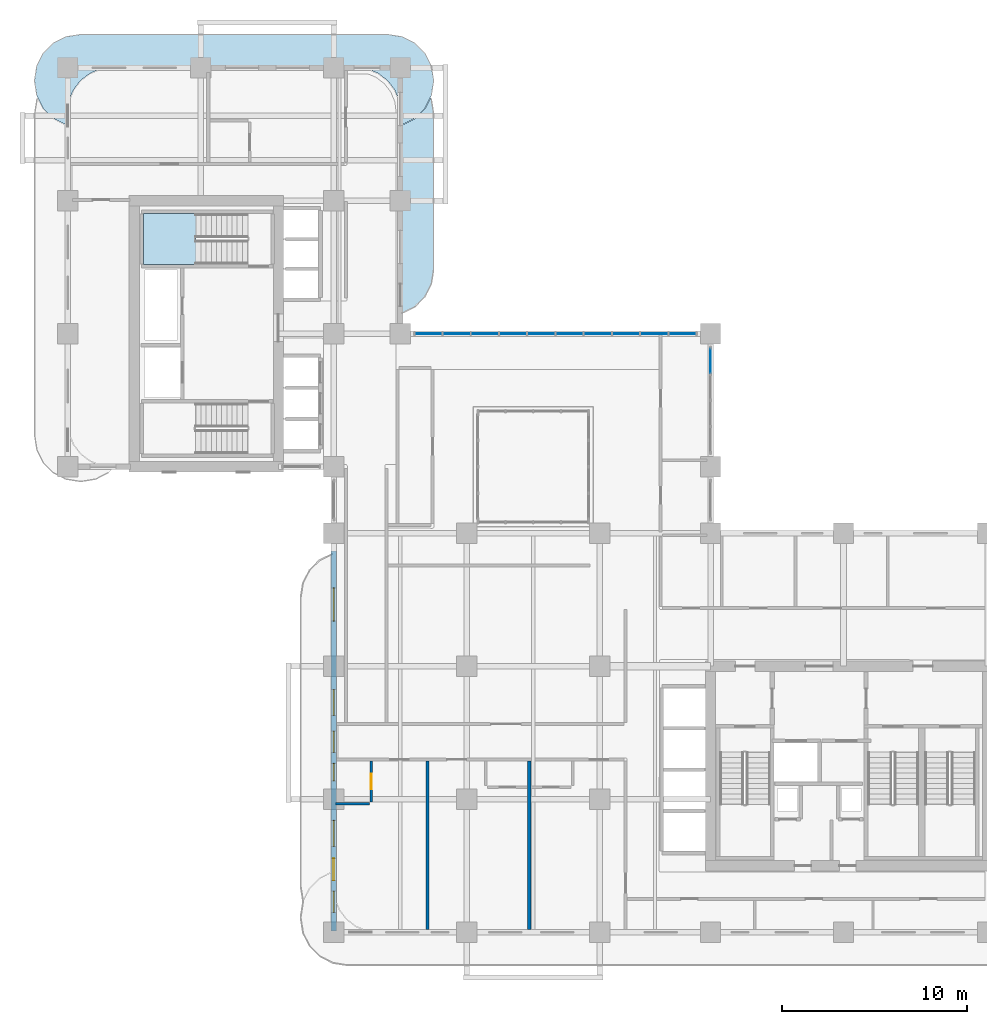
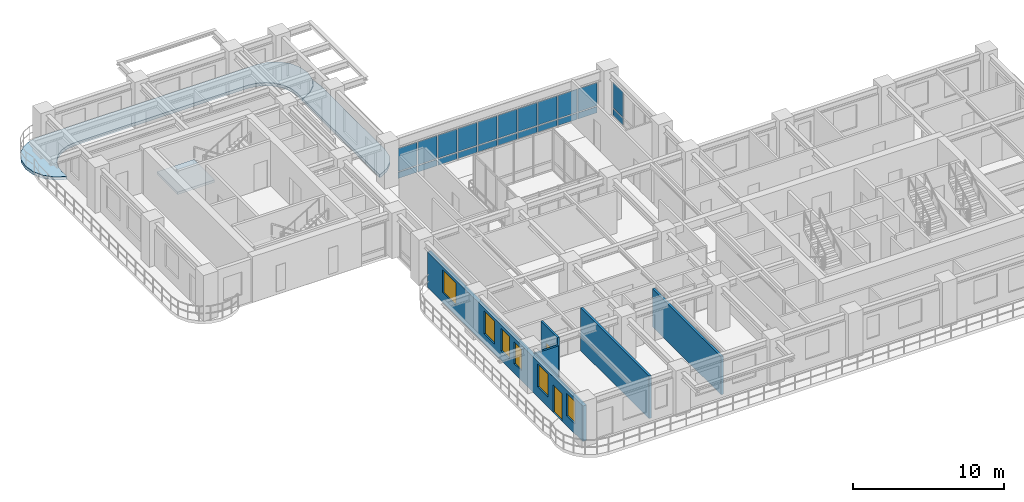
# One storey, part 11 of 22: 22 plates, 6 windows, 5 walls, 3 slabs, 2 doors, 8 openings, 3 elements without a shape of their own.
"""IFC4 building model written with IfcOpenShell, lengths in metres."""

from ifc_helpers import new_model, si_unit, derived_unit, direction, frame, frame_2d, origin, origin_2d, place, context, subcontext, project, spatial, polyline, rectangle, outline, extrude, source, transform, mapped, material, layer, layer_set, type_object, type_shapes, element, fill, aggregate, save


model = new_model("IFC4")

# Units and contexts
model_context = context("Model", 3, precision=1e-05, world=origin(), true_north=direction((0.0, 1.0)))
body_context = subcontext(model_context, "Body", "Model", "MODEL_VIEW")
ifc_project = project(units=[si_unit("LENGTHUNIT", "METRE"), si_unit("AREAUNIT", "SQUARE_METRE"), si_unit("VOLUMEUNIT", "CUBIC_METRE"), si_unit("PLANEANGLEUNIT", "RADIAN"), si_unit("MASSUNIT", "GRAM", prefix="KILO"), si_unit("THERMODYNAMICTEMPERATUREUNIT", "KELVIN"), si_unit("POWERUNIT", "WATT"), derived_unit("THERMALTRANSMITTANCEUNIT", [(si_unit("POWERUNIT", "WATT"), 1), (si_unit("AREAUNIT", "SQUARE_METRE"), -1), (si_unit("THERMODYNAMICTEMPERATUREUNIT", "KELVIN"), -1)])], contexts=[model_context])

# Site, building, storey
site_placement = place(None, origin())
site = spatial("IfcSite", under=ifc_project, at=site_placement, CompositionType="ELEMENT")
building_placement = place(site_placement, origin())
building = spatial("IfcBuilding", under=site, at=building_placement, Name="Zahravan Archway Hotel and Residences", CompositionType="ELEMENT")
storey_placement = place(building_placement, frame((0.0, 0.0, 73.10009765625)))
storey = spatial("IfcBuildingStorey", under=building, at=storey_placement, Name="L17", CompositionType="ELEMENT", Elevation=73.10009765625)

# Slabs
ifc_material_1 = material(Name="Concrete C45/55", Category="concrete")
ifc_layer_1 = layer(ifc_material_1, 0.25, Name="Concrete C45/55", Category="concrete")
ifc_layer_set_1 = layer_set([ifc_layer_1], Name="Concrete C45/55")
slab_type_1 = type_object("IfcSlabType", Name="SLB-BALC-250", PredefinedType="FLOOR", material=ifc_layer_set_1)
slab_1_placement = place(storey_placement, frame((0.0, 0.0, -0.25)))
element("IfcSlab", 1, at=slab_1_placement, inside=storey, type_object=slab_type_1, Name="L17 Wing B North Rounded Balcony Band", PredefinedType="FLOOR", context=body_context, shape_type="SweptSolid", body=[
    extrude(outline(polyline([(-0.107177734375, 43.719970703125), (-0.7900390625, 44.06787109375), (-1.33203125, 44.60986328125), (-1.68017578125, 45.29296875), (-1.800048828125, 46.050048828125), (-1.800048828125, 46.14990234375), (-1.68017578125, 46.906982421875), (-1.33203125, 47.590087890625), (-0.7900390625, 48.132080078125), (-0.107177734375, 48.47998046875), (0.64990234375, 48.60009765625), (17.35009765625, 48.60009765625), (18.107177734375, 48.47998046875), (18.7900390625, 48.132080078125), (19.33203125, 47.590087890625), (19.68017578125, 46.906982421875), (19.800048828125, 46.14990234375), (19.800048828125, 46.050048828125), (19.68017578125, 45.29296875), (19.33203125, 44.60986328125), (18.7900390625, 44.06787109375), (18.107177734375, 43.719970703125), (18.02001953125, 43.7060546875), (18.02001953125, 44.39990234375), (18.019775390625, 44.402587890625), (17.93798828125, 45.023681640625), (17.937744140625, 45.025390625), (17.937255859375, 45.027099609375), (17.936767578125, 45.02880859375), (17.697021484375, 45.607666015625), (17.6962890625, 45.609130859375), (17.6953125, 45.610595703125), (17.6943359375, 45.6123046875), (17.31298828125, 46.109375), (17.311767578125, 46.110595703125), (17.310546875, 46.11181640625), (17.309326171875, 46.113037109375), (16.812255859375, 46.494384765625), (16.810791015625, 46.495361328125), (16.80908203125, 46.49609375), (16.8076171875, 46.4970703125), (16.22900390625, 46.73681640625), (16.227294921875, 46.7373046875), (16.2255859375, 46.73779296875), (16.223876953125, 46.738037109375), (15.6025390625, 46.81982421875), (15.60009765625, 46.820068359375), (2.39990234375, 46.820068359375), (2.3974609375, 46.81982421875), (1.776123046875, 46.738037109375), (1.7744140625, 46.73779296875), (1.772705078125, 46.7373046875), (1.77099609375, 46.73681640625), (1.1923828125, 46.4970703125), (1.19091796875, 46.49609375), (1.189208984375, 46.495361328125), (1.187744140625, 46.494384765625), (0.690673828125, 46.113037109375), (0.689453125, 46.11181640625), (0.688232421875, 46.110595703125), (0.68701171875, 46.109375), (0.3056640625, 45.6123046875), (0.3046875, 45.610595703125), (0.3037109375, 45.609130859375), (0.302978515625, 45.607666015625), (0.063232421875, 45.02880859375), (0.062744140625, 45.027099609375), (0.062255859375, 45.025390625), (0.06201171875, 45.023681640625), (-0.019775390625, 44.402587890625), (-0.02001953125, 44.39990234375), (-0.02001953125, 43.7060546875), (-0.107177734375, 43.719970703125)])), origin(), (0.0, 0.0, 1.0), 0.25),
])
slab_2_placement = place(storey_placement, frame((0.0, 0.0, -0.25)))
element("IfcSlab", 2, at=slab_2_placement, inside=storey, type_object=slab_type_1, Name="L17 Wing B East Rounded Balcony Band", PredefinedType="FLOOR", context=body_context, shape_type="SweptSolid", body=[
    extrude(outline(polyline([(19.68017578125, 45.107177734375), (19.800048828125, 44.35009765625), (19.800048828125, 35.85009765625), (19.68017578125, 35.093017578125), (19.33203125, 34.409912109375), (18.7900390625, 33.867919921875), (18.107177734375, 33.52001953125), (18.02001953125, 33.506103515625), (18.02001953125, 43.68603515625), (18.021240234375, 43.68603515625), (18.023193359375, 43.686279296875), (18.110107421875, 43.7001953125), (18.1123046875, 43.70068359375), (18.1142578125, 43.701171875), (18.1162109375, 43.7021484375), (18.79931640625, 44.050048828125), (18.801025390625, 44.051025390625), (18.802734375, 44.052490234375), (18.80419921875, 44.0537109375), (19.34619140625, 44.595703125), (19.34765625, 44.597412109375), (19.348876953125, 44.59912109375), (19.349853515625, 44.600830078125), (19.64404296875, 45.177978515625), (19.68017578125, 45.107177734375)])), origin(), (0.0, 0.0, 1.0), 0.25),
])

# Stair, slab
ifc_material_2 = material(Name="Concrete C50/60", Category="concrete")
stair_type = type_object("IfcStairType", Name="STR-CORE-1300", PredefinedType="HALF_TURN_STAIR", material=ifc_material_2)
stair_placement = place(storey_placement, origin())
stair = element("IfcStair", 3, at=stair_placement, inside=storey, type_object=stair_type, Name="L17 Core B Exit Stair 2", PredefinedType="HALF_TURN_STAIR")
ifc_layer_2 = layer(ifc_material_2, 0.199951171875, Name="Concrete C50/60", Category="concrete")
ifc_layer_set_2 = layer_set([ifc_layer_2], Name="Concrete C50/60")
slab_type_2 = type_object("IfcSlabType", Name="SLB-LND-200", PredefinedType="LANDING", material=ifc_layer_set_2)
slab_3_placement = place(storey_placement, frame((0.0, 0.0, 1.64990234375)))
slab_3 = element("IfcSlab", 4, at=slab_3_placement, type_object=slab_type_2, Name="ST-B2 landing 1", PredefinedType="LANDING", context=body_context, shape_type="SweptSolid", body=[
    extrude(outline(polyline([(6.929931640625, 38.89990234375), (4.10009765625, 38.89990234375), (4.10009765625, 36.159912109375), (6.929931640625, 36.159912109375), (6.929931640625, 38.89990234375)])), origin(), (0.0, 0.0, 1.0), 0.199951171875),
])
aggregate(stair, [slab_3])

# Curtain wall, plates
ifc_material_3 = material(Name="Bronze-Anodized Unitised Aluminium & Low-E Glass", Category="aluminium")
ifc_layer_3 = layer(ifc_material_3, 0.179931640625, Name="Bronze-Anodized Unitised Aluminium & Low-E Glass", Category="aluminium")
ifc_layer_set_3 = layer_set([ifc_layer_3], Name="Bronze-Anodized Unitised Aluminium & Low-E Glass")
curtain_wall_type = type_object("IfcCurtainWallType", Name="CW-ATR-GLAZ", PredefinedType="NOTDEFINED", material=ifc_layer_set_3)
curtain_wall_1_placement = place(storey_placement, origin())
curtain_wall_1 = element("IfcCurtainWall", 5, at=curtain_wall_1_placement, inside=storey, type_object=curtain_wall_type, Name="L17 Curtain Wall CW-L17-HNG-E-2", PredefinedType="NOTDEFINED")
ifc_material_4 = material(Name="Insulated Terracotta Spandrel Panel", Category="masonry")
ifc_layer_4 = layer(ifc_material_4, 0.0400390625, Name="Insulated Terracotta Spandrel Panel", Category="masonry")
ifc_layer_set_4 = layer_set([ifc_layer_4], Name="Insulated Terracotta Spandrel Panel")
plate_type_1 = type_object("IfcPlateType", Name="CWP-SPN-40", PredefinedType="SHEET", material=ifc_layer_set_4)
shared_shape_1 = source(origin(), body_context, "Body", "SweptSolid", [
    extrude(rectangle(XDim=1.340087890625, YDim=0.0400390625, at=origin_2d()), origin(), (0.0, 0.0, 1.0), 0.552490234375),
])
plate_1_placement = place(storey_placement, frame((34.800048828125, 30.929931640625, 0.10009765625), z_axis=(0.0, 0.0, 1.0), x_axis=(0.0, 1.0, 0.0)))
plate_1 = element("IfcPlate", 6, at=plate_1_placement, type_object=plate_type_1, Name="CW-L17-HNG-E-2 Spandrel Panel 3", PredefinedType="SHEET", context=body_context, shape_type="MappedRepresentation", body=[
    mapped(shared_shape_1, transform((0.0, 0.0, 0.0), scale=1.0)),
])
ifc_material_5 = material(Name="Double-Silver Low-E Insulated Vision Glass", Category="glass")
ifc_layer_5 = layer(ifc_material_5, 0.028076171875, Name="Double-Silver Low-E Insulated Vision Glass", Category="glass")
ifc_layer_set_5 = layer_set([ifc_layer_5], Name="Double-Silver Low-E Insulated Vision Glass")
plate_type_2 = type_object("IfcPlateType", Name="CWP-GLZ-28", PredefinedType="CURTAIN_PANEL", material=ifc_layer_set_5)
shared_shape_2 = source(origin(), body_context, "Body", "SweptSolid", [
    extrude(rectangle(XDim=1.340087890625, YDim=0.028076171875, at=origin_2d()), origin(), (0.0, 0.0, 1.0), 2.052490234375),
])
plate_2_placement = place(storey_placement, frame((34.800048828125, 30.929931640625, 0.732421875), z_axis=(0.0, 0.0, 1.0), x_axis=(0.0, 1.0, 0.0)))
plate_2 = element("IfcPlate", 7, at=plate_2_placement, type_object=plate_type_2, Name="CW-L17-HNG-E-2 Low-E Vision Panel 3", PredefinedType="CURTAIN_PANEL", context=body_context, shape_type="MappedRepresentation", body=[
    mapped(shared_shape_2, transform((0.0, 0.0, 0.0), scale=1.0)),
])
aggregate(curtain_wall_1, [plate_1, plate_2])

curtain_wall_2_placement = place(storey_placement, origin())
curtain_wall_2 = element("IfcCurtainWall", 8, at=curtain_wall_2_placement, inside=storey, type_object=curtain_wall_type, Name="L17 Curtain Wall CW-L17-HNG-N-1", PredefinedType="NOTDEFINED")
shared_shape_3 = source(origin(), body_context, "Body", "SweptSolid", [
    extrude(rectangle(XDim=1.447998046875, YDim=0.0400390625, at=origin_2d()), origin(), (0.0, 0.0, 1.0), 0.492431640625),
])
plate_3_placement = place(storey_placement, frame((19.52392578125, 32.39990234375, 0.10009765625), z_axis=(0.0, 0.0, 1.0), x_axis=(1.0, 0.0, 0.0)))
plate_3 = element("IfcPlate", 9, at=plate_3_placement, type_object=plate_type_1, Name="CW-L17-HNG-N-1 Spandrel Panel 0", PredefinedType="SHEET", context=body_context, shape_type="MappedRepresentation", body=[
    mapped(shared_shape_3, transform((0.0, 0.0, 0.0), scale=1.0)),
])
plate_4_placement = place(storey_placement, frame((21.052001953125, 32.39990234375, 0.10009765625), z_axis=(0.0, 0.0, 1.0), x_axis=(1.0, 0.0, 0.0)))
plate_4 = element("IfcPlate", 10, at=plate_4_placement, type_object=plate_type_1, Name="CW-L17-HNG-N-1 Spandrel Panel 1", PredefinedType="SHEET", context=body_context, shape_type="MappedRepresentation", body=[
    mapped(shared_shape_3, transform((0.0, 0.0, 0.0), scale=1.0)),
])
plate_5_placement = place(storey_placement, frame((22.580078125, 32.39990234375, 0.10009765625), z_axis=(0.0, 0.0, 1.0), x_axis=(1.0, 0.0, 0.0)))
plate_5 = element("IfcPlate", 11, at=plate_5_placement, type_object=plate_type_1, Name="CW-L17-HNG-N-1 Spandrel Panel 2", PredefinedType="SHEET", context=body_context, shape_type="MappedRepresentation", body=[
    mapped(shared_shape_3, transform((0.0, 0.0, 0.0), scale=1.0)),
])
plate_6_placement = place(storey_placement, frame((24.10791015625, 32.39990234375, 0.10009765625), z_axis=(0.0, 0.0, 1.0), x_axis=(1.0, 0.0, 0.0)))
plate_6 = element("IfcPlate", 12, at=plate_6_placement, type_object=plate_type_1, Name="CW-L17-HNG-N-1 Spandrel Panel 3", PredefinedType="SHEET", context=body_context, shape_type="MappedRepresentation", body=[
    mapped(shared_shape_3, transform((0.0, 0.0, 0.0), scale=1.0)),
])
plate_7_placement = place(storey_placement, frame((25.635986328125, 32.39990234375, 0.10009765625), z_axis=(0.0, 0.0, 1.0), x_axis=(1.0, 0.0, 0.0)))
plate_7 = element("IfcPlate", 13, at=plate_7_placement, type_object=plate_type_1, Name="CW-L17-HNG-N-1 Spandrel Panel 4", PredefinedType="SHEET", context=body_context, shape_type="MappedRepresentation", body=[
    mapped(shared_shape_3, transform((0.0, 0.0, 0.0), scale=1.0)),
])
plate_8_placement = place(storey_placement, frame((27.1640625, 32.39990234375, 0.10009765625), z_axis=(0.0, 0.0, 1.0), x_axis=(1.0, 0.0, 0.0)))
plate_8 = element("IfcPlate", 14, at=plate_8_placement, type_object=plate_type_1, Name="CW-L17-HNG-N-1 Spandrel Panel 5", PredefinedType="SHEET", context=body_context, shape_type="MappedRepresentation", body=[
    mapped(shared_shape_3, transform((0.0, 0.0, 0.0), scale=1.0)),
])
plate_9_placement = place(storey_placement, frame((28.69189453125, 32.39990234375, 0.10009765625), z_axis=(0.0, 0.0, 1.0), x_axis=(1.0, 0.0, 0.0)))
plate_9 = element("IfcPlate", 15, at=plate_9_placement, type_object=plate_type_1, Name="CW-L17-HNG-N-1 Spandrel Panel 6", PredefinedType="SHEET", context=body_context, shape_type="MappedRepresentation", body=[
    mapped(shared_shape_3, transform((0.0, 0.0, 0.0), scale=1.0)),
])
plate_10_placement = place(storey_placement, frame((30.219970703125, 32.39990234375, 0.10009765625), z_axis=(0.0, 0.0, 1.0), x_axis=(1.0, 0.0, 0.0)))
plate_10 = element("IfcPlate", 16, at=plate_10_placement, type_object=plate_type_1, Name="CW-L17-HNG-N-1 Spandrel Panel 7", PredefinedType="SHEET", context=body_context, shape_type="MappedRepresentation", body=[
    mapped(shared_shape_3, transform((0.0, 0.0, 0.0), scale=1.0)),
])
plate_11_placement = place(storey_placement, frame((31.748046875, 32.39990234375, 0.10009765625), z_axis=(0.0, 0.0, 1.0), x_axis=(1.0, 0.0, 0.0)))
plate_11 = element("IfcPlate", 17, at=plate_11_placement, type_object=plate_type_1, Name="CW-L17-HNG-N-1 Spandrel Panel 8", PredefinedType="SHEET", context=body_context, shape_type="MappedRepresentation", body=[
    mapped(shared_shape_3, transform((0.0, 0.0, 0.0), scale=1.0)),
])
plate_12_placement = place(storey_placement, frame((33.27587890625, 32.39990234375, 0.10009765625), z_axis=(0.0, 0.0, 1.0), x_axis=(1.0, 0.0, 0.0)))
plate_12 = element("IfcPlate", 18, at=plate_12_placement, type_object=plate_type_1, Name="CW-L17-HNG-N-1 Spandrel Panel 9", PredefinedType="SHEET", context=body_context, shape_type="MappedRepresentation", body=[
    mapped(shared_shape_3, transform((0.0, 0.0, 0.0), scale=1.0)),
])
shared_shape_4 = source(origin(), body_context, "Body", "SweptSolid", [
    extrude(rectangle(XDim=1.447998046875, YDim=0.028076171875, at=origin_2d()), origin(), (0.0, 0.0, 1.0), 1.862548828125),
])
plate_13_placement = place(storey_placement, frame((19.52392578125, 32.39990234375, 0.67236328125), z_axis=(0.0, 0.0, 1.0), x_axis=(1.0, 0.0, 0.0)))
plate_13 = element("IfcPlate", 19, at=plate_13_placement, type_object=plate_type_2, Name="CW-L17-HNG-N-1 Low-E Vision Panel 0", PredefinedType="CURTAIN_PANEL", context=body_context, shape_type="MappedRepresentation", body=[
    mapped(shared_shape_4, transform((0.0, 0.0, 0.0), scale=1.0)),
])
plate_14_placement = place(storey_placement, frame((21.052001953125, 32.39990234375, 0.67236328125), z_axis=(0.0, 0.0, 1.0), x_axis=(1.0, 0.0, 0.0)))
plate_14 = element("IfcPlate", 20, at=plate_14_placement, type_object=plate_type_2, Name="CW-L17-HNG-N-1 Low-E Vision Panel 1", PredefinedType="CURTAIN_PANEL", context=body_context, shape_type="MappedRepresentation", body=[
    mapped(shared_shape_4, transform((0.0, 0.0, 0.0), scale=1.0)),
])
plate_15_placement = place(storey_placement, frame((22.580078125, 32.39990234375, 0.67236328125), z_axis=(0.0, 0.0, 1.0), x_axis=(1.0, 0.0, 0.0)))
plate_15 = element("IfcPlate", 21, at=plate_15_placement, type_object=plate_type_2, Name="CW-L17-HNG-N-1 Low-E Vision Panel 2", PredefinedType="CURTAIN_PANEL", context=body_context, shape_type="MappedRepresentation", body=[
    mapped(shared_shape_4, transform((0.0, 0.0, 0.0), scale=1.0)),
])
plate_16_placement = place(storey_placement, frame((24.10791015625, 32.39990234375, 0.67236328125), z_axis=(0.0, 0.0, 1.0), x_axis=(1.0, 0.0, 0.0)))
plate_16 = element("IfcPlate", 22, at=plate_16_placement, type_object=plate_type_2, Name="CW-L17-HNG-N-1 Low-E Vision Panel 3", PredefinedType="CURTAIN_PANEL", context=body_context, shape_type="MappedRepresentation", body=[
    mapped(shared_shape_4, transform((0.0, 0.0, 0.0), scale=1.0)),
])
plate_17_placement = place(storey_placement, frame((25.635986328125, 32.39990234375, 0.67236328125), z_axis=(0.0, 0.0, 1.0), x_axis=(1.0, 0.0, 0.0)))
plate_17 = element("IfcPlate", 23, at=plate_17_placement, type_object=plate_type_2, Name="CW-L17-HNG-N-1 Low-E Vision Panel 4", PredefinedType="CURTAIN_PANEL", context=body_context, shape_type="MappedRepresentation", body=[
    mapped(shared_shape_4, transform((0.0, 0.0, 0.0), scale=1.0)),
])
plate_18_placement = place(storey_placement, frame((27.1640625, 32.39990234375, 0.67236328125), z_axis=(0.0, 0.0, 1.0), x_axis=(1.0, 0.0, 0.0)))
plate_18 = element("IfcPlate", 24, at=plate_18_placement, type_object=plate_type_2, Name="CW-L17-HNG-N-1 Low-E Vision Panel 5", PredefinedType="CURTAIN_PANEL", context=body_context, shape_type="MappedRepresentation", body=[
    mapped(shared_shape_4, transform((0.0, 0.0, 0.0), scale=1.0)),
])
plate_19_placement = place(storey_placement, frame((28.69189453125, 32.39990234375, 0.67236328125), z_axis=(0.0, 0.0, 1.0), x_axis=(1.0, 0.0, 0.0)))
plate_19 = element("IfcPlate", 25, at=plate_19_placement, type_object=plate_type_2, Name="CW-L17-HNG-N-1 Low-E Vision Panel 6", PredefinedType="CURTAIN_PANEL", context=body_context, shape_type="MappedRepresentation", body=[
    mapped(shared_shape_4, transform((0.0, 0.0, 0.0), scale=1.0)),
])
plate_20_placement = place(storey_placement, frame((30.219970703125, 32.39990234375, 0.67236328125), z_axis=(0.0, 0.0, 1.0), x_axis=(1.0, 0.0, 0.0)))
plate_20 = element("IfcPlate", 26, at=plate_20_placement, type_object=plate_type_2, Name="CW-L17-HNG-N-1 Low-E Vision Panel 7", PredefinedType="CURTAIN_PANEL", context=body_context, shape_type="MappedRepresentation", body=[
    mapped(shared_shape_4, transform((0.0, 0.0, 0.0), scale=1.0)),
])
plate_21_placement = place(storey_placement, frame((31.748046875, 32.39990234375, 0.67236328125), z_axis=(0.0, 0.0, 1.0), x_axis=(1.0, 0.0, 0.0)))
plate_21 = element("IfcPlate", 27, at=plate_21_placement, type_object=plate_type_2, Name="CW-L17-HNG-N-1 Low-E Vision Panel 8", PredefinedType="CURTAIN_PANEL", context=body_context, shape_type="MappedRepresentation", body=[
    mapped(shared_shape_4, transform((0.0, 0.0, 0.0), scale=1.0)),
])
plate_22_placement = place(storey_placement, frame((33.27587890625, 32.39990234375, 0.67236328125), z_axis=(0.0, 0.0, 1.0), x_axis=(1.0, 0.0, 0.0)))
plate_22 = element("IfcPlate", 28, at=plate_22_placement, type_object=plate_type_2, Name="CW-L17-HNG-N-1 Low-E Vision Panel 9", PredefinedType="CURTAIN_PANEL", context=body_context, shape_type="MappedRepresentation", body=[
    mapped(shared_shape_4, transform((0.0, 0.0, 0.0), scale=1.0)),
])
aggregate(curtain_wall_2, [plate_3, plate_13, plate_4, plate_14, plate_5, plate_15, plate_6, plate_16, plate_7, plate_17, plate_8, plate_18, plate_9, plate_19, plate_10, plate_20, plate_11, plate_21, plate_12, plate_22])

# Wall, openings, door, windows
ifc_material_6 = material(Name="Honed Red-Ochre Sandstone & Insulated Block", Category="masonry")
ifc_layer_6 = layer(ifc_material_6, 0.280029296875, Name="Honed Red-Ochre Sandstone & Insulated Block", Category="masonry")
ifc_layer_set_6 = layer_set([ifc_layer_6], Name="Honed Red-Ochre Sandstone & Insulated Block")
wall_type_1 = type_object("IfcWallType", Name="EW-LOG-280", PredefinedType="SOLIDWALL", material=ifc_layer_set_6)
wall_1_placement = place(storey_placement, frame((14.39990234375, 0.050048828125, 0.0), z_axis=(0.0, 0.0, 1.0), x_axis=(0.0, 1.0, 0.0)))
wall_1 = element("IfcWall", 29, at=wall_1_placement, inside=storey, type_object=wall_type_1, Name="L17 Exterior Sandstone Wall WA-WL", PredefinedType="SOLIDWALL", context=body_context, shape_type="SweptSolid", body=[
    extrude(rectangle(XDim=20.599853515625, YDim=0.280029296875, at=frame_2d((10.2998046875, 0.0))), origin(), (0.0, 0.0, 1.0), 2.885009765625),
])
opening_1_placement = place(wall_1_placement, frame((2.75, 0.0, 0.0)))
opening_1 = element("IfcOpeningElement", 30, at=opening_1_placement, cuts=wall_1, Name="Opening ED-BL1", PredefinedType="OPENING", context=body_context, shape_type="SweptSolid", body=[
    extrude(rectangle(XDim=1.199951171875, YDim=2.199951171875, at=frame_2d((0.60009765625, 1.10009765625))), frame((0.0, 0.14990234375, 0.0), z_axis=(0.0, -1.0, 0.0), x_axis=(1.0, 0.0, 0.0)), (0.0, 0.0, 1.0), 0.300048828125),
])
opening_2_placement = place(wall_1_placement, frame((1.02490234375, 0.0, 0.800048828125)))
opening_2 = element("IfcOpeningElement", 31, at=opening_2_placement, cuts=wall_1, Name="Opening W-05", PredefinedType="OPENING", context=body_context, shape_type="SweptSolid", body=[
    extrude(rectangle(XDim=1.14990234375, YDim=1.800048828125, at=frame_2d((0.574951171875, 0.89990234375))), frame((0.0, 0.14990234375, 0.0), z_axis=(0.0, -1.0, 0.0), x_axis=(1.0, 0.0, 0.0)), (0.0, 0.0, 1.0), 0.300048828125),
])
opening_3_placement = place(wall_1_placement, frame((4.60009765625, 0.0, 0.800048828125)))
opening_3 = element("IfcOpeningElement", 32, at=opening_3_placement, cuts=wall_1, Name="Opening W-03", PredefinedType="OPENING", context=body_context, shape_type="SweptSolid", body=[
    extrude(rectangle(XDim=1.39990234375, YDim=1.85009765625, at=frame_2d((0.699951171875, 0.925048828125))), frame((0.0, 0.14990234375, 0.0), z_axis=(0.0, -1.0, 0.0), x_axis=(1.0, 0.0, 0.0)), (0.0, 0.0, 1.0), 0.300048828125),
])
opening_4_placement = place(wall_1_placement, frame((8.14599609375, 0.0, 0.800048828125)))
opening_4 = element("IfcOpeningElement", 33, at=opening_4_placement, cuts=wall_1, Name="Opening W-04", PredefinedType="OPENING", context=body_context, shape_type="SweptSolid", body=[
    extrude(rectangle(XDim=0.949951171875, YDim=1.75, at=frame_2d((0.47509765625, 0.875))), frame((0.0, 0.14990234375, 0.0), z_axis=(0.0, -1.0, 0.0), x_axis=(1.0, 0.0, 0.0)), (0.0, 0.0, 1.0), 0.300048828125),
])
opening_5_placement = place(wall_1_placement, frame((9.68505859375, 0.0, 0.800048828125)))
opening_5 = element("IfcOpeningElement", 34, at=opening_5_placement, cuts=wall_1, Name="Opening W-05", PredefinedType="OPENING", context=body_context, shape_type="SweptSolid", body=[
    extrude(rectangle(XDim=1.14990234375, YDim=1.800048828125, at=frame_2d((0.574951171875, 0.89990234375))), frame((0.0, 0.14990234375, 0.0), z_axis=(0.0, -1.0, 0.0), x_axis=(1.0, 0.0, 0.0)), (0.0, 0.0, 1.0), 0.300048828125),
])
opening_6_placement = place(wall_1_placement, frame((11.68896484375, 0.0, 0.800048828125)))
opening_6 = element("IfcOpeningElement", 35, at=opening_6_placement, cuts=wall_1, Name="Opening W-03", PredefinedType="OPENING", context=body_context, shape_type="SweptSolid", body=[
    extrude(rectangle(XDim=1.39990234375, YDim=1.85009765625, at=frame_2d((0.699951171875, 0.925048828125))), frame((0.0, 0.14990234375, 0.0), z_axis=(0.0, -1.0, 0.0), x_axis=(1.0, 0.0, 0.0)), (0.0, 0.0, 1.0), 0.300048828125),
])
opening_7_placement = place(wall_1_placement, frame((16.7900390625, 0.0, 0.800048828125)))
opening_7 = element("IfcOpeningElement", 36, at=opening_7_placement, cuts=wall_1, Name="Opening W-02", PredefinedType="OPENING", context=body_context, shape_type="SweptSolid", body=[
    extrude(rectangle(XDim=1.800048828125, YDim=1.85009765625, at=frame_2d((0.89990234375, 0.925048828125))), frame((0.0, 0.14990234375, 0.0), z_axis=(0.0, -1.0, 0.0), x_axis=(1.0, 0.0, 0.0)), (0.0, 0.0, 1.0), 0.300048828125),
])
ifc_material_7 = material(Name="Bronze-Anodized Glazed Aluminium", Category="aluminium")
door_type_1 = type_object("IfcDoorType", Name="ED-BALC-1200", OperationType="SLIDING_TO_LEFT", PredefinedType="DOOR", material=ifc_material_7)
shared_shape_5 = source(origin(), body_context, "Body", "SweptSolid", [
    extrude(rectangle(XDim=1.199951171875, YDim=2.199951171875, at=frame_2d((0.60009765625, 1.10009765625))), frame((0.0, 0.02490234375, 0.0), z_axis=(0.0, -1.0, 0.0), x_axis=(1.0, 0.0, 0.0)), (0.0, 0.0, 1.0), 0.050048828125),
])
type_shapes(door_type_1, [shared_shape_5])
door_1_placement = place(opening_1_placement, origin())
door_1 = element("IfcDoor", 37, at=door_1_placement, inside=storey, type_object=door_type_1, Name="L17 Outdoor Access Sliding Door (SLB-BAL-L17-WA)", OperationType="SLIDING_TO_LEFT", OverallHeight=2.199951171875, OverallWidth=1.199951171875, PredefinedType="DOOR", context=body_context, shape_type="MappedRepresentation", body=[
    mapped(shared_shape_5, transform((0.0, 0.0, 0.0), scale=1.0)),
])
fill(opening_1, door_1)
ifc_material_8 = material(Name="Bronze-Anodized Thermal-Break Aluminium & Low-E Glass", Category="aluminium")
window_type_1 = type_object("IfcWindowType", Name="WIN-TWR-1400", PartitioningType="SINGLE_PANEL", PredefinedType="WINDOW", material=ifc_material_8)
shared_shape_6 = source(origin(), body_context, "Body", "SweptSolid", [
    extrude(rectangle(XDim=1.39990234375, YDim=1.85009765625, at=frame_2d((0.699951171875, 0.925048828125))), frame((0.0, 0.030029296875, 0.0), z_axis=(0.0, -1.0, 0.0), x_axis=(1.0, 0.0, 0.0)), (0.0, 0.0, 1.0), 0.06005859375),
])
type_shapes(window_type_1, [shared_shape_6])
window_1_placement = place(opening_3_placement, origin())
window_1 = element("IfcWindow", 38, at=window_1_placement, inside=storey, type_object=window_type_1, Name="L17 Loggia Window 24", OverallHeight=1.85009765625, OverallWidth=1.39990234375, PartitioningType="SINGLE_PANEL", PredefinedType="WINDOW", context=body_context, shape_type="MappedRepresentation", body=[
    mapped(shared_shape_6, transform((0.0, 0.0, 0.0), scale=1.0)),
])
fill(opening_3, window_1)
window_2_placement = place(opening_6_placement, origin())
window_2 = element("IfcWindow", 39, at=window_2_placement, inside=storey, type_object=window_type_1, Name="L17 Loggia Window 27", OverallHeight=1.85009765625, OverallWidth=1.39990234375, PartitioningType="SINGLE_PANEL", PredefinedType="WINDOW", context=body_context, shape_type="MappedRepresentation", body=[
    mapped(shared_shape_6, transform((0.0, 0.0, 0.0), scale=1.0)),
])
fill(opening_6, window_2)
window_type_2 = type_object("IfcWindowType", Name="WIN-NAR-950", PartitioningType="SINGLE_PANEL", PredefinedType="WINDOW", material=ifc_material_8)
shared_shape_7 = source(origin(), body_context, "Body", "SweptSolid", [
    extrude(rectangle(XDim=0.949951171875, YDim=1.75, at=frame_2d((0.47509765625, 0.875))), frame((0.0, 0.030029296875, 0.0), z_axis=(0.0, -1.0, 0.0), x_axis=(1.0, 0.0, 0.0)), (0.0, 0.0, 1.0), 0.06005859375),
])
type_shapes(window_type_2, [shared_shape_7])
window_3_placement = place(opening_4_placement, origin())
window_3 = element("IfcWindow", 40, at=window_3_placement, inside=storey, type_object=window_type_2, Name="L17 Loggia Window 25", OverallHeight=1.75, OverallWidth=0.949951171875, PartitioningType="SINGLE_PANEL", PredefinedType="WINDOW", context=body_context, shape_type="MappedRepresentation", body=[
    mapped(shared_shape_7, transform((0.0, 0.0, 0.0), scale=1.0)),
])
fill(opening_4, window_3)
window_type_3 = type_object("IfcWindowType", Name="WIN-TWR-1800", PartitioningType="DOUBLE_PANEL_VERTICAL", PredefinedType="WINDOW", material=ifc_material_8)
shared_shape_8 = source(origin(), body_context, "Body", "SweptSolid", [
    extrude(rectangle(XDim=1.800048828125, YDim=1.85009765625, at=frame_2d((0.89990234375, 0.925048828125))), frame((0.0, 0.030029296875, 0.0), z_axis=(0.0, -1.0, 0.0), x_axis=(1.0, 0.0, 0.0)), (0.0, 0.0, 1.0), 0.06005859375),
])
type_shapes(window_type_3, [shared_shape_8])
window_4_placement = place(opening_7_placement, origin())
window_4 = element("IfcWindow", 41, at=window_4_placement, inside=storey, type_object=window_type_3, Name="L17 Loggia Window 28", OverallHeight=1.85009765625, OverallWidth=1.800048828125, PartitioningType="DOUBLE_PANEL_VERTICAL", PredefinedType="WINDOW", context=body_context, shape_type="MappedRepresentation", body=[
    mapped(shared_shape_8, transform((0.0, 0.0, 0.0), scale=1.0)),
])
fill(opening_7, window_4)
window_type_4 = type_object("IfcWindowType", Name="WIN-TWR-1150", PartitioningType="SINGLE_PANEL", PredefinedType="WINDOW", material=ifc_material_8)
shared_shape_9 = source(origin(), body_context, "Body", "SweptSolid", [
    extrude(rectangle(XDim=1.14990234375, YDim=1.800048828125, at=frame_2d((0.574951171875, 0.89990234375))), frame((0.0, 0.030029296875, 0.0), z_axis=(0.0, -1.0, 0.0), x_axis=(1.0, 0.0, 0.0)), (0.0, 0.0, 1.0), 0.06005859375),
])
type_shapes(window_type_4, [shared_shape_9])
window_5_placement = place(opening_2_placement, origin())
window_5 = element("IfcWindow", 42, at=window_5_placement, inside=storey, type_object=window_type_4, Name="L17 Loggia Window 23", OverallHeight=1.800048828125, OverallWidth=1.14990234375, PartitioningType="SINGLE_PANEL", PredefinedType="WINDOW", context=body_context, shape_type="MappedRepresentation", body=[
    mapped(shared_shape_9, transform((0.0, 0.0, 0.0), scale=1.0)),
])
fill(opening_2, window_5)
window_6_placement = place(opening_5_placement, origin())
window_6 = element("IfcWindow", 43, at=window_6_placement, inside=storey, type_object=window_type_4, Name="L17 Loggia Window 26", OverallHeight=1.800048828125, OverallWidth=1.14990234375, PartitioningType="SINGLE_PANEL", PredefinedType="WINDOW", context=body_context, shape_type="MappedRepresentation", body=[
    mapped(shared_shape_9, transform((0.0, 0.0, 0.0), scale=1.0)),
])
fill(opening_5, window_6)

# Walls
ifc_material_9 = material(Name="Acoustic Stud Partition")
ifc_layer_7 = layer(ifc_material_9, 0.169921875, Name="Acoustic Stud Partition")
ifc_layer_set_7 = layer_set([ifc_layer_7], Name="Acoustic Stud Partition")
wall_type_2 = type_object("IfcWallType", Name="PW-UNIT-170", PredefinedType="PARTITIONING", material=ifc_layer_set_7)
wall_2_placement = place(storey_placement, frame((19.47998046875, 0.14794921875, 0.0), z_axis=(0.0, 0.0, 1.0), x_axis=(0.0, 1.0, 0.0)))
element("IfcWall", 44, at=wall_2_placement, inside=storey, type_object=wall_type_2, Name="L17 Partition WAS-0A", PredefinedType="PARTITIONING", context=body_context, shape_type="SweptSolid", body=[
    extrude(rectangle(XDim=9.112060546875, YDim=0.169921875, at=frame_2d((4.55615234375, 0.0))), origin(), (0.0, 0.0, 1.0), 3.449951171875),
])
wall_3_placement = place(storey_placement, frame((24.986083984375, 0.14794921875, 0.0), z_axis=(0.0, 0.0, 1.0), x_axis=(0.0, 1.0, 0.0)))
element("IfcWall", 45, at=wall_3_placement, inside=storey, type_object=wall_type_2, Name="L17 Partition WAS-0B", PredefinedType="PARTITIONING", context=body_context, shape_type="SweptSolid", body=[
    extrude(rectangle(XDim=9.112060546875, YDim=0.169921875, at=frame_2d((4.55615234375, 0.0))), origin(), (0.0, 0.0, 1.0), 3.074951171875),
])

# Wall, opening, door
ifc_material_10 = material(Name="Moisture-Resistant Blockwork", Category="masonry")
ifc_layer_8 = layer(ifc_material_10, 0.139892578125, Name="Moisture-Resistant Blockwork", Category="masonry")
ifc_layer_set_8 = layer_set([ifc_layer_8], Name="Moisture-Resistant Blockwork")
wall_type_3 = type_object("IfcWallType", Name="PW-WET-140", PredefinedType="PARTITIONING", material=ifc_layer_set_8)
wall_4_placement = place(storey_placement, frame((16.431884765625, 7.0400390625, 0.0), z_axis=(0.0, 0.0, 1.0), x_axis=(0.0, 1.0, 0.0)))
wall_4 = element("IfcWall", 46, at=wall_4_placement, inside=storey, type_object=wall_type_3, Name="L17 Partition HKB-V1", PredefinedType="PARTITIONING", context=body_context, shape_type="SweptSolid", body=[
    extrude(rectangle(XDim=2.219970703125, YDim=0.139892578125, at=frame_2d((1.10986328125, 0.0))), origin(), (0.0, 0.0, 1.0), 3.449951171875),
])
opening_8_placement = place(wall_4_placement, frame((0.68505859375, 0.0, 0.0)))
opening_8 = element("IfcOpeningElement", 47, at=opening_8_placement, cuts=wall_4, Name="Opening D-B1", PredefinedType="OPENING", context=body_context, shape_type="SweptSolid", body=[
    extrude(rectangle(XDim=0.85009765625, YDim=2.10009765625, at=frame_2d((0.425048828125, 1.050048828125))), frame((0.0, 0.080078125, 0.0), z_axis=(0.0, -1.0, 0.0), x_axis=(1.0, 0.0, 0.0)), (0.0, 0.0, 1.0), 0.159912109375),
])
ifc_material_11 = material(Name="Hardwood Veneer Timber", Category="wood")
door_type_2 = type_object("IfcDoorType", Name="ID-BATH-850", OperationType="NOTDEFINED", PredefinedType="DOOR", material=ifc_material_11)
shared_shape_10 = source(origin(), body_context, "Body", "SweptSolid", [
    extrude(rectangle(XDim=0.85009765625, YDim=2.10009765625, at=frame_2d((0.425048828125, 1.050048828125))), frame((0.0, 0.02490234375, 0.0), z_axis=(0.0, -1.0, 0.0), x_axis=(1.0, 0.0, 0.0)), (0.0, 0.0, 1.0), 0.050048828125),
])
type_shapes(door_type_2, [shared_shape_10])
door_2_placement = place(opening_8_placement, origin())
door_2 = element("IfcDoor", 48, at=door_2_placement, inside=storey, type_object=door_type_2, Name="L17 Guestroom 1 En-Suite Door", OperationType="SINGLE_SWING_RIGHT", OverallHeight=2.10009765625, OverallWidth=0.85009765625, PredefinedType="DOOR", context=body_context, shape_type="MappedRepresentation", body=[
    mapped(shared_shape_10, transform((0.0, 0.0, 0.0), scale=1.0)),
])
fill(opening_8, door_2)

# Wall
wall_5_placement = place(storey_placement, frame((14.489990234375, 6.949951171875, 0.0), z_axis=(0.0, 0.0, 1.0), x_axis=(1.0, 0.0, 0.0)))
element("IfcWall", 49, at=wall_5_placement, inside=storey, type_object=wall_type_3, Name="L17 Partition HKB-H1", PredefinedType="PARTITIONING", context=body_context, shape_type="SweptSolid", body=[
    extrude(rectangle(XDim=1.85205078125, YDim=0.139892578125, at=frame_2d((0.926025390625, 0.0))), origin(), (0.0, 0.0, 1.0), 2.885009765625),
])

save(model, "model.ifc")
